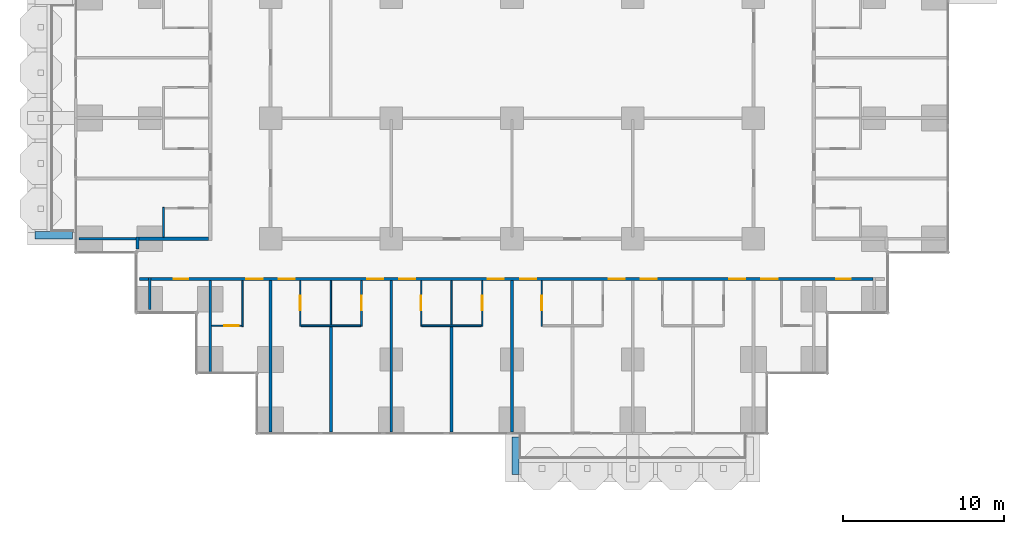
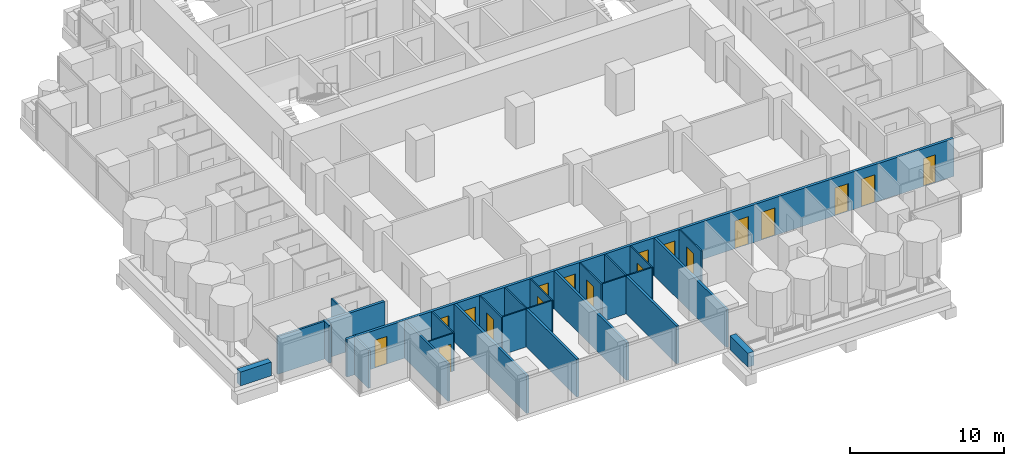
# One storey, part 10 of 19: 26 walls, 18 doors, 18 openings.
"""IFC4 building model written with IfcOpenShell, lengths in metres."""

from ifc_helpers import new_model, si_unit, direction, frame, frame_2d, origin, place, context, subcontext, project, spatial, rectangle, extrude, material, layer, layer_set, type_object, element, fill, save


model = new_model("IFC4")

# Units and contexts
model_context = context("Model", 3, precision=1e-05, world=origin(), true_north=direction((0.0, 1.0)))
body_context = subcontext(model_context, "Body", "Model", "MODEL_VIEW")
ifc_project = project(units=[si_unit("LENGTHUNIT", "METRE"), si_unit("AREAUNIT", "SQUARE_METRE"), si_unit("VOLUMEUNIT", "CUBIC_METRE"), si_unit("PLANEANGLEUNIT", "RADIAN"), si_unit("MASSUNIT", "GRAM", prefix="KILO")], contexts=[model_context])

# Site, building, storey
site_placement = place(None, origin())
site = spatial("IfcSite", under=ifc_project, at=site_placement, CompositionType="ELEMENT")
building_placement = place(site_placement, origin())
building = spatial("IfcBuilding", under=site, at=building_placement, Name="Pilkhan Gate Tower", CompositionType="ELEMENT")
storey_placement = place(building_placement, frame((0.0, 0.0, 39.5)))
storey = spatial("IfcBuildingStorey", under=building, at=storey_placement, Name="L06", CompositionType="ELEMENT", Elevation=39.5)

# Walls
ifc_material_1 = material(Name="Dense blockwork", Category="masonry")
ifc_layer_1 = layer(ifc_material_1, 0.175048828125)
ifc_layer_set_1 = layer_set([ifc_layer_1], Name="Acoustic party wall PW175")
wall_type_1 = type_object("IfcWallType", Name="Acoustic party wall PW175", PredefinedType="PARTITIONING", material=ifc_layer_set_1)
wall_1_placement = place(storey_placement, frame((60.0, 40.485107421875, 0.0), z_axis=(0.0, 0.0, 1.0), x_axis=(0.0, 1.0, 0.0)))
element("IfcWall", 1, at=wall_1_placement, inside=storey, type_object=wall_type_1, Name="Partition L06", PredefinedType="PARTITIONING", context=body_context, shape_type="SweptSolid", body=[
    extrude(rectangle(XDim=9.414794921875, YDim=0.175048828125, at=frame_2d((4.70751953125, 0.0))), origin(), (0.0, 0.0, 1.0), 3.0),
])
wall_2_placement = place(storey_placement, frame((63.75, 40.485107421875, 0.0), z_axis=(0.0, 0.0, 1.0), x_axis=(0.0, 1.0, 0.0)))
element("IfcWall", 2, at=wall_2_placement, inside=storey, type_object=wall_type_1, Name="Partition L06", PredefinedType="PARTITIONING", context=body_context, shape_type="SweptSolid", body=[
    extrude(rectangle(XDim=6.56494140625, YDim=0.175048828125, at=frame_2d((3.282470703125, 0.0))), origin(), (0.0, 0.0, 1.0), 3.0),
])
wall_3_placement = place(storey_placement, frame((67.5, 40.485107421875, 0.0), z_axis=(0.0, 0.0, 1.0), x_axis=(0.0, 1.0, 0.0)))
element("IfcWall", 3, at=wall_3_placement, inside=storey, type_object=wall_type_1, Name="Partition L06", PredefinedType="PARTITIONING", context=body_context, shape_type="SweptSolid", body=[
    extrude(rectangle(XDim=9.414794921875, YDim=0.175048828125, at=frame_2d((4.70751953125, 0.0))), origin(), (0.0, 0.0, 1.0), 3.0),
])
wall_4_placement = place(storey_placement, frame((71.25, 40.485107421875, 0.0), z_axis=(0.0, 0.0, 1.0), x_axis=(0.0, 1.0, 0.0)))
element("IfcWall", 4, at=wall_4_placement, inside=storey, type_object=wall_type_1, Name="Partition L06", PredefinedType="PARTITIONING", context=body_context, shape_type="SweptSolid", body=[
    extrude(rectangle(XDim=6.56494140625, YDim=0.175048828125, at=frame_2d((3.282470703125, 0.0))), origin(), (0.0, 0.0, 1.0), 3.0),
])
wall_5_placement = place(storey_placement, frame((75.0, 40.485107421875, 0.0), z_axis=(0.0, 0.0, 1.0), x_axis=(0.0, 1.0, 0.0)))
element("IfcWall", 5, at=wall_5_placement, inside=storey, type_object=wall_type_1, Name="Partition L06", PredefinedType="PARTITIONING", context=body_context, shape_type="SweptSolid", body=[
    extrude(rectangle(XDim=9.414794921875, YDim=0.175048828125, at=frame_2d((4.70751953125, 0.0))), origin(), (0.0, 0.0, 1.0), 3.0),
])
ifc_material_2 = material(Name="Board-marked Concrete C40/50", Category="concrete")
ifc_layer_2 = layer(ifc_material_2, 0.449951171875)
ifc_layer_set_2 = layer_set([ifc_layer_2], Name="Balcony planter lip BL450")
wall_type_2 = type_object("IfcWallType", Name="Balcony planter lip BL450", PredefinedType="USERDEFINED", material=ifc_layer_set_2)
for number, where, z_axis, x_axis, name in (
    (6, (75.22509765625, 40.179931640625, 0.0), (0.0, 0.0, 1.0), (0.0, -1.0, 0.0), "Balcony planter L06 S"),
    (7, (47.679931640625, 52.72509765625, 0.0), (0.0, 0.0, 1.0), (-1.0, 0.0, 0.0), "Balcony planter L06 W"),
):
    element("IfcWall", number, at=place(storey_placement, frame(where, z_axis=z_axis, x_axis=x_axis)), inside=storey, type_object=wall_type_2, Name=name, ObjectType="BALCONY PLANTER", PredefinedType="USERDEFINED", context=body_context, shape_type="SweptSolid", body=[
        extrude(rectangle(XDim=2.329833984375, YDim=0.449951171875, at=frame_2d((1.1650390625, 0.0))), origin(), (0.0, 0.0, 1.0), 1.10009765625),
    ])
ifc_layer_3 = layer(ifc_material_1, 0.199951171875)
ifc_layer_set_3 = layer_set([ifc_layer_3], Name="Corridor wall FW200")
wall_type_3 = type_object("IfcWallType", Name="Corridor wall FW200", PredefinedType="PARTITIONING", material=ifc_layer_set_3)
wall_6_placement = place(storey_placement, frame((51.85498046875, 50.0, 0.0), z_axis=(0.0, 0.0, 1.0), x_axis=(1.0, 0.0, 0.0)))
element("IfcWall", 8, at=wall_6_placement, inside=storey, type_object=wall_type_3, Name="Partition L06", PredefinedType="PARTITIONING", context=body_context, shape_type="SweptSolid", body=[
    extrude(rectangle(XDim=0.570068359375, YDim=0.199951171875, at=frame_2d((0.28515625, 0.0))), origin(), (0.0, 0.0, 1.0), 3.0),
])

# Wall, openings, doors
wall_7_placement = place(storey_placement, frame((52.574951171875, 50.0, 0.0), z_axis=(0.0, 0.0, 1.0), x_axis=(1.0, 0.0, 0.0)))
wall_7 = element("IfcWall", 9, at=wall_7_placement, inside=storey, type_object=wall_type_3, Name="Partition L06", PredefinedType="PARTITIONING", context=body_context, shape_type="SweptSolid", body=[
    extrude(rectangle(XDim=44.85009765625, YDim=0.199951171875, at=frame_2d((22.425048828125, 0.0))), origin(), (0.0, 0.0, 1.0), 3.0),
])
opening_1_placement = place(wall_7_placement, frame((5.925048828125, 0.0, 0.0)))
opening_1 = element("IfcOpeningElement", 10, at=opening_1_placement, cuts=wall_7, Name="Opening L06-06", PredefinedType="OPENING", context=body_context, shape_type="SweptSolid", body=[
    extrude(rectangle(XDim=1.0, YDim=2.199951171875, at=frame_2d((0.5, 1.10009765625))), frame((0.0, 0.10986328125, 0.0), z_axis=(0.0, -1.0, 0.0), x_axis=(1.0, 0.0, 0.0)), (0.0, 0.0, 1.0), 0.219970703125),
])
opening_2_placement = place(wall_7_placement, frame((7.925048828125, 0.0, 0.0)))
opening_2 = element("IfcOpeningElement", 11, at=opening_2_placement, cuts=wall_7, Name="Opening L06-08", PredefinedType="OPENING", context=body_context, shape_type="SweptSolid", body=[
    extrude(rectangle(XDim=1.0, YDim=2.199951171875, at=frame_2d((0.5, 1.10009765625))), frame((0.0, 0.10986328125, 0.0), z_axis=(0.0, -1.0, 0.0), x_axis=(1.0, 0.0, 0.0)), (0.0, 0.0, 1.0), 0.219970703125),
])
opening_3_placement = place(wall_7_placement, frame((13.425048828125, 0.0, 0.0)))
opening_3 = element("IfcOpeningElement", 12, at=opening_3_placement, cuts=wall_7, Name="Opening L06-10", PredefinedType="OPENING", context=body_context, shape_type="SweptSolid", body=[
    extrude(rectangle(XDim=1.0, YDim=2.199951171875, at=frame_2d((0.5, 1.10009765625))), frame((0.0, 0.10986328125, 0.0), z_axis=(0.0, -1.0, 0.0), x_axis=(1.0, 0.0, 0.0)), (0.0, 0.0, 1.0), 0.219970703125),
])
opening_4_placement = place(wall_7_placement, frame((15.425048828125, 0.0, 0.0)))
opening_4 = element("IfcOpeningElement", 13, at=opening_4_placement, cuts=wall_7, Name="Opening L06-12", PredefinedType="OPENING", context=body_context, shape_type="SweptSolid", body=[
    extrude(rectangle(XDim=1.0, YDim=2.199951171875, at=frame_2d((0.5, 1.10009765625))), frame((0.0, 0.10986328125, 0.0), z_axis=(0.0, -1.0, 0.0), x_axis=(1.0, 0.0, 0.0)), (0.0, 0.0, 1.0), 0.219970703125),
])
opening_5_placement = place(wall_7_placement, frame((20.925048828125, 0.0, 0.0)))
opening_5 = element("IfcOpeningElement", 14, at=opening_5_placement, cuts=wall_7, Name="Opening L06-14", PredefinedType="OPENING", context=body_context, shape_type="SweptSolid", body=[
    extrude(rectangle(XDim=1.0, YDim=2.199951171875, at=frame_2d((0.5, 1.10009765625))), frame((0.0, 0.10986328125, 0.0), z_axis=(0.0, -1.0, 0.0), x_axis=(1.0, 0.0, 0.0)), (0.0, 0.0, 1.0), 0.219970703125),
])
opening_6_placement = place(wall_7_placement, frame((22.925048828125, 0.0, 0.0)))
opening_6 = element("IfcOpeningElement", 15, at=opening_6_placement, cuts=wall_7, Name="Opening L06-16", PredefinedType="OPENING", context=body_context, shape_type="SweptSolid", body=[
    extrude(rectangle(XDim=1.0, YDim=2.199951171875, at=frame_2d((0.5, 1.10009765625))), frame((0.0, 0.10986328125, 0.0), z_axis=(0.0, -1.0, 0.0), x_axis=(1.0, 0.0, 0.0)), (0.0, 0.0, 1.0), 0.219970703125),
])
opening_7_placement = place(wall_7_placement, frame((28.425048828125, 0.0, 0.0)))
opening_7 = element("IfcOpeningElement", 16, at=opening_7_placement, cuts=wall_7, Name="Opening L06-18", PredefinedType="OPENING", context=body_context, shape_type="SweptSolid", body=[
    extrude(rectangle(XDim=1.0, YDim=2.199951171875, at=frame_2d((0.5, 1.10009765625))), frame((0.0, 0.10986328125, 0.0), z_axis=(0.0, -1.0, 0.0), x_axis=(1.0, 0.0, 0.0)), (0.0, 0.0, 1.0), 0.219970703125),
])
opening_8_placement = place(wall_7_placement, frame((30.425048828125, 0.0, 0.0)))
opening_8 = element("IfcOpeningElement", 17, at=opening_8_placement, cuts=wall_7, Name="Opening L06-20", PredefinedType="OPENING", context=body_context, shape_type="SweptSolid", body=[
    extrude(rectangle(XDim=1.0, YDim=2.199951171875, at=frame_2d((0.5, 1.10009765625))), frame((0.0, 0.10986328125, 0.0), z_axis=(0.0, -1.0, 0.0), x_axis=(1.0, 0.0, 0.0)), (0.0, 0.0, 1.0), 0.219970703125),
])
opening_9_placement = place(wall_7_placement, frame((35.925048828125, 0.0, 0.0)))
opening_9 = element("IfcOpeningElement", 18, at=opening_9_placement, cuts=wall_7, Name="Opening L06-22", PredefinedType="OPENING", context=body_context, shape_type="SweptSolid", body=[
    extrude(rectangle(XDim=1.0, YDim=2.199951171875, at=frame_2d((0.5, 1.10009765625))), frame((0.0, 0.10986328125, 0.0), z_axis=(0.0, -1.0, 0.0), x_axis=(1.0, 0.0, 0.0)), (0.0, 0.0, 1.0), 0.219970703125),
])
opening_10_placement = place(wall_7_placement, frame((37.925048828125, 0.0, 0.0)))
opening_10 = element("IfcOpeningElement", 19, at=opening_10_placement, cuts=wall_7, Name="Opening L06-24", PredefinedType="OPENING", context=body_context, shape_type="SweptSolid", body=[
    extrude(rectangle(XDim=1.0, YDim=2.199951171875, at=frame_2d((0.5, 1.10009765625))), frame((0.0, 0.10986328125, 0.0), z_axis=(0.0, -1.0, 0.0), x_axis=(1.0, 0.0, 0.0)), (0.0, 0.0, 1.0), 0.219970703125),
])
opening_11_placement = place(wall_7_placement, frame((1.39990234375, 0.0, 0.0)))
opening_11 = element("IfcOpeningElement", 20, at=opening_11_placement, cuts=wall_7, Name="Opening L06-63", PredefinedType="OPENING", context=body_context, shape_type="SweptSolid", body=[
    extrude(rectangle(XDim=0.89990234375, YDim=2.199951171875, at=frame_2d((0.449951171875, 1.10009765625))), frame((0.0, 0.10986328125, 0.0), z_axis=(0.0, -1.0, 0.0), x_axis=(1.0, 0.0, 0.0)), (0.0, 0.0, 1.0), 0.219970703125),
])
opening_12_placement = place(wall_7_placement, frame((42.574951171875, 0.0, 0.0)))
opening_12 = element("IfcOpeningElement", 21, at=opening_12_placement, cuts=wall_7, Name="Opening L06-64", PredefinedType="OPENING", context=body_context, shape_type="SweptSolid", body=[
    extrude(rectangle(XDim=0.89990234375, YDim=2.199951171875, at=frame_2d((0.449951171875, 1.10009765625))), frame((0.0, 0.10986328125, 0.0), z_axis=(0.0, -1.0, 0.0), x_axis=(1.0, 0.0, 0.0)), (0.0, 0.0, 1.0), 0.219970703125),
])
ifc_material_3 = material(Name="Timber flush door, 30 minute fire resisting", Category="wood")
door_type_1 = type_object("IfcDoorType", Name="Guest room door D01 1000x2200", OperationType="SINGLE_SWING_LEFT", PredefinedType="DOOR", material=ifc_material_3)
door_1_placement = place(opening_1_placement, origin())
door_1 = element("IfcDoor", 22, at=door_1_placement, inside=storey, type_object=door_type_1, Name="Guest room door", OperationType="SINGLE_SWING_RIGHT", OverallHeight=2.199951171875, OverallWidth=1.0, PredefinedType="DOOR", context=body_context, shape_type="SweptSolid", body=[
    extrude(rectangle(XDim=1.0, YDim=2.199951171875, at=frame_2d((0.5, 1.10009765625))), frame((0.0, 0.02490234375, 0.0), z_axis=(0.0, -1.0, 0.0), x_axis=(1.0, 0.0, 0.0)), (0.0, 0.0, 1.0), 0.050048828125),
])
fill(opening_1, door_1)
door_2_placement = place(opening_2_placement, origin())
door_2 = element("IfcDoor", 23, at=door_2_placement, inside=storey, type_object=door_type_1, Name="Guest room door", OperationType="SINGLE_SWING_RIGHT", OverallHeight=2.199951171875, OverallWidth=1.0, PredefinedType="DOOR", context=body_context, shape_type="SweptSolid", body=[
    extrude(rectangle(XDim=1.0, YDim=2.199951171875, at=frame_2d((0.5, 1.10009765625))), frame((0.0, 0.02490234375, 0.0), z_axis=(0.0, -1.0, 0.0), x_axis=(1.0, 0.0, 0.0)), (0.0, 0.0, 1.0), 0.050048828125),
])
fill(opening_2, door_2)
door_3_placement = place(opening_3_placement, origin())
door_3 = element("IfcDoor", 24, at=door_3_placement, inside=storey, type_object=door_type_1, Name="Guest room door", OperationType="SINGLE_SWING_LEFT", OverallHeight=2.199951171875, OverallWidth=1.0, PredefinedType="DOOR", context=body_context, shape_type="SweptSolid", body=[
    extrude(rectangle(XDim=1.0, YDim=2.199951171875, at=frame_2d((0.5, 1.10009765625))), frame((0.0, 0.02490234375, 0.0), z_axis=(0.0, -1.0, 0.0), x_axis=(1.0, 0.0, 0.0)), (0.0, 0.0, 1.0), 0.050048828125),
])
fill(opening_3, door_3)
door_4_placement = place(opening_4_placement, origin())
door_4 = element("IfcDoor", 25, at=door_4_placement, inside=storey, type_object=door_type_1, Name="Guest room door", OperationType="SINGLE_SWING_LEFT", OverallHeight=2.199951171875, OverallWidth=1.0, PredefinedType="DOOR", context=body_context, shape_type="SweptSolid", body=[
    extrude(rectangle(XDim=1.0, YDim=2.199951171875, at=frame_2d((0.5, 1.10009765625))), frame((0.0, 0.02490234375, 0.0), z_axis=(0.0, -1.0, 0.0), x_axis=(1.0, 0.0, 0.0)), (0.0, 0.0, 1.0), 0.050048828125),
])
fill(opening_4, door_4)
door_5_placement = place(opening_5_placement, origin())
door_5 = element("IfcDoor", 26, at=door_5_placement, inside=storey, type_object=door_type_1, Name="Guest room door", OperationType="SINGLE_SWING_LEFT", OverallHeight=2.199951171875, OverallWidth=1.0, PredefinedType="DOOR", context=body_context, shape_type="SweptSolid", body=[
    extrude(rectangle(XDim=1.0, YDim=2.199951171875, at=frame_2d((0.5, 1.10009765625))), frame((0.0, 0.02490234375, 0.0), z_axis=(0.0, -1.0, 0.0), x_axis=(1.0, 0.0, 0.0)), (0.0, 0.0, 1.0), 0.050048828125),
])
fill(opening_5, door_5)
door_6_placement = place(opening_6_placement, origin())
door_6 = element("IfcDoor", 27, at=door_6_placement, inside=storey, type_object=door_type_1, Name="Guest room door", OperationType="SINGLE_SWING_RIGHT", OverallHeight=2.199951171875, OverallWidth=1.0, PredefinedType="DOOR", context=body_context, shape_type="SweptSolid", body=[
    extrude(rectangle(XDim=1.0, YDim=2.199951171875, at=frame_2d((0.5, 1.10009765625))), frame((0.0, 0.02490234375, 0.0), z_axis=(0.0, -1.0, 0.0), x_axis=(1.0, 0.0, 0.0)), (0.0, 0.0, 1.0), 0.050048828125),
])
fill(opening_6, door_6)
door_7_placement = place(opening_7_placement, origin())
door_7 = element("IfcDoor", 28, at=door_7_placement, inside=storey, type_object=door_type_1, Name="Guest room door", OperationType="SINGLE_SWING_RIGHT", OverallHeight=2.199951171875, OverallWidth=1.0, PredefinedType="DOOR", context=body_context, shape_type="SweptSolid", body=[
    extrude(rectangle(XDim=1.0, YDim=2.199951171875, at=frame_2d((0.5, 1.10009765625))), frame((0.0, 0.02490234375, 0.0), z_axis=(0.0, -1.0, 0.0), x_axis=(1.0, 0.0, 0.0)), (0.0, 0.0, 1.0), 0.050048828125),
])
fill(opening_7, door_7)
door_8_placement = place(opening_8_placement, origin())
door_8 = element("IfcDoor", 29, at=door_8_placement, inside=storey, type_object=door_type_1, Name="Guest room door", OperationType="SINGLE_SWING_LEFT", OverallHeight=2.199951171875, OverallWidth=1.0, PredefinedType="DOOR", context=body_context, shape_type="SweptSolid", body=[
    extrude(rectangle(XDim=1.0, YDim=2.199951171875, at=frame_2d((0.5, 1.10009765625))), frame((0.0, 0.02490234375, 0.0), z_axis=(0.0, -1.0, 0.0), x_axis=(1.0, 0.0, 0.0)), (0.0, 0.0, 1.0), 0.050048828125),
])
fill(opening_8, door_8)
door_9_placement = place(opening_9_placement, origin())
door_9 = element("IfcDoor", 30, at=door_9_placement, inside=storey, type_object=door_type_1, Name="Guest room door", OperationType="SINGLE_SWING_LEFT", OverallHeight=2.199951171875, OverallWidth=1.0, PredefinedType="DOOR", context=body_context, shape_type="SweptSolid", body=[
    extrude(rectangle(XDim=1.0, YDim=2.199951171875, at=frame_2d((0.5, 1.10009765625))), frame((0.0, 0.02490234375, 0.0), z_axis=(0.0, -1.0, 0.0), x_axis=(1.0, 0.0, 0.0)), (0.0, 0.0, 1.0), 0.050048828125),
])
fill(opening_9, door_9)
door_10_placement = place(opening_10_placement, origin())
door_10 = element("IfcDoor", 31, at=door_10_placement, inside=storey, type_object=door_type_1, Name="Guest room door", OperationType="SINGLE_SWING_RIGHT", OverallHeight=2.199951171875, OverallWidth=1.0, PredefinedType="DOOR", context=body_context, shape_type="SweptSolid", body=[
    extrude(rectangle(XDim=1.0, YDim=2.199951171875, at=frame_2d((0.5, 1.10009765625))), frame((0.0, 0.02490234375, 0.0), z_axis=(0.0, -1.0, 0.0), x_axis=(1.0, 0.0, 0.0)), (0.0, 0.0, 1.0), 0.050048828125),
])
fill(opening_10, door_10)
ifc_material_4 = material(Name="Timber flush door, 60 minute fire resisting, self-closing", Category="wood")
door_type_2 = type_object("IfcDoorType", Name="Store door D05 900x2200", OperationType="SINGLE_SWING_LEFT", PredefinedType="DOOR", material=ifc_material_4)
door_11_placement = place(opening_11_placement, origin())
door_11 = element("IfcDoor", 32, at=door_11_placement, inside=storey, type_object=door_type_2, Name="Store door", OperationType="SINGLE_SWING_LEFT", OverallHeight=2.199951171875, OverallWidth=0.89990234375, PredefinedType="DOOR", context=body_context, shape_type="SweptSolid", body=[
    extrude(rectangle(XDim=0.89990234375, YDim=2.199951171875, at=frame_2d((0.449951171875, 1.10009765625))), frame((0.0, 0.02490234375, 0.0), z_axis=(0.0, -1.0, 0.0), x_axis=(1.0, 0.0, 0.0)), (0.0, 0.0, 1.0), 0.050048828125),
])
fill(opening_11, door_11)
door_12_placement = place(opening_12_placement, origin())
door_12 = element("IfcDoor", 33, at=door_12_placement, inside=storey, type_object=door_type_2, Name="Store door", OperationType="SINGLE_SWING_LEFT", OverallHeight=2.199951171875, OverallWidth=0.89990234375, PredefinedType="DOOR", context=body_context, shape_type="SweptSolid", body=[
    extrude(rectangle(XDim=0.89990234375, YDim=2.199951171875, at=frame_2d((0.449951171875, 1.10009765625))), frame((0.0, 0.02490234375, 0.0), z_axis=(0.0, -1.0, 0.0), x_axis=(1.0, 0.0, 0.0)), (0.0, 0.0, 1.0), 0.050048828125),
])
fill(opening_12, door_12)

# Walls
wall_8_placement = place(storey_placement, frame((51.8349609375, 52.5, 0.0), z_axis=(0.0, 0.0, 1.0), x_axis=(1.0, 0.0, 0.0)))
element("IfcWall", 34, at=wall_8_placement, inside=storey, type_object=wall_type_3, Name="Partition L06", PredefinedType="PARTITIONING", context=body_context, shape_type="SweptSolid", body=[
    extrude(rectangle(XDim=4.31494140625, YDim=0.199951171875, at=frame_2d((2.157470703125, 0.0))), origin(), (0.0, 0.0, 1.0), 3.0),
])
wall_9_placement = place(storey_placement, frame((51.735107421875, 51.85498046875, 0.0), z_axis=(0.0, 0.0, 1.0), x_axis=(0.0, 1.0, 0.0)))
element("IfcWall", 35, at=wall_9_placement, inside=storey, type_object=wall_type_3, Name="Partition L06", PredefinedType="PARTITIONING", context=body_context, shape_type="SweptSolid", body=[
    extrude(rectangle(XDim=0.7451171875, YDim=0.199951171875, at=frame_2d((0.37255859375, 0.0))), origin(), (0.0, 0.0, 1.0), 3.0),
])
ifc_material_5 = material(Name="Blockwork partition, plastered both sides", Category="masonry")
ifc_layer_4 = layer(ifc_material_5, 0.14990234375)
ifc_layer_set_4 = layer_set([ifc_layer_4], Name="Partition PW150")
wall_type_4 = type_object("IfcWallType", Name="Partition PW150", PredefinedType="PARTITIONING", material=ifc_layer_set_4)
wall_10_placement = place(storey_placement, frame((48.10498046875, 52.5, 0.0), z_axis=(0.0, 0.0, 1.0), x_axis=(1.0, 0.0, 0.0)))
element("IfcWall", 36, at=wall_10_placement, inside=storey, type_object=wall_type_4, Name="Partition L06", PredefinedType="PARTITIONING", context=body_context, shape_type="SweptSolid", body=[
    extrude(rectangle(XDim=3.530029296875, YDim=0.14990234375, at=frame_2d((1.76513671875, 0.0))), origin(), (0.0, 0.0, 1.0), 3.0),
])
wall_11_placement = place(storey_placement, frame((52.5, 48.10498046875, 0.0), z_axis=(0.0, 0.0, 1.0), x_axis=(0.0, 1.0, 0.0)))
element("IfcWall", 37, at=wall_11_placement, inside=storey, type_object=wall_type_4, Name="Partition L06", PredefinedType="PARTITIONING", context=body_context, shape_type="SweptSolid", body=[
    extrude(rectangle(XDim=1.9951171875, YDim=0.14990234375, at=frame_2d((0.99755859375, 0.0))), origin(), (0.0, 0.0, 1.0), 3.0),
])
wall_12_placement = place(storey_placement, frame((56.25, 44.235107421875, 0.0), z_axis=(0.0, 0.0, 1.0), x_axis=(0.0, 1.0, 0.0)))
element("IfcWall", 38, at=wall_12_placement, inside=storey, type_object=wall_type_4, Name="Partition L06", PredefinedType="PARTITIONING", context=body_context, shape_type="SweptSolid", body=[
    extrude(rectangle(XDim=5.664794921875, YDim=0.14990234375, at=frame_2d((2.83251953125, 0.0))), origin(), (0.0, 0.0, 1.0), 3.0),
])

# Wall, opening, door
ifc_material_6 = material(Name="Moisture resistant board, tiled")
ifc_layer_5 = layer(ifc_material_6, 0.10009765625)
ifc_layer_set_5 = layer_set([ifc_layer_5], Name="Wet wall PW100")
wall_type_5 = type_object("IfcWallType", Name="Wet wall PW100", PredefinedType="PARTITIONING", material=ifc_layer_set_5)
wall_13_placement = place(storey_placement, frame((56.324951171875, 47.10009765625, 0.0), z_axis=(0.0, 0.0, 1.0), x_axis=(1.0, 0.0, 0.0)))
wall_13 = element("IfcWall", 39, at=wall_13_placement, inside=storey, type_object=wall_type_5, Name="Partition L06", PredefinedType="PARTITIONING", context=body_context, shape_type="SweptSolid", body=[
    extrude(rectangle(XDim=1.875, YDim=0.10009765625, at=frame_2d((0.9375, 0.0))), origin(), (0.0, 0.0, 1.0), 3.0),
])
opening_13_placement = place(wall_13_placement, frame((0.800048828125, 0.0, 0.0)))
opening_13 = element("IfcOpeningElement", 40, at=opening_13_placement, cuts=wall_13, Name="Opening L06-07", PredefinedType="OPENING", context=body_context, shape_type="SweptSolid", body=[
    extrude(rectangle(XDim=0.89990234375, YDim=2.199951171875, at=frame_2d((0.449951171875, 1.10009765625))), frame((0.0, 0.06005859375, 0.0), z_axis=(0.0, -1.0, 0.0), x_axis=(1.0, 0.0, 0.0)), (0.0, 0.0, 1.0), 0.1201171875),
])
ifc_material_7 = material(Name="Timber flush door", Category="wood")
door_type_3 = type_object("IfcDoorType", Name="Bathroom door D02 900x2200", OperationType="SINGLE_SWING_RIGHT", PredefinedType="DOOR", material=ifc_material_7)
door_13_placement = place(opening_13_placement, origin())
door_13 = element("IfcDoor", 41, at=door_13_placement, inside=storey, type_object=door_type_3, Name="Bathroom door", OperationType="SINGLE_SWING_RIGHT", OverallHeight=2.199951171875, OverallWidth=0.89990234375, PredefinedType="DOOR", context=body_context, shape_type="SweptSolid", body=[
    extrude(rectangle(XDim=0.89990234375, YDim=2.199951171875, at=frame_2d((0.449951171875, 1.10009765625))), frame((0.0, 0.02490234375, 0.0), z_axis=(0.0, -1.0, 0.0), x_axis=(1.0, 0.0, 0.0)), (0.0, 0.0, 1.0), 0.050048828125),
])
fill(opening_13, door_13)

# Walls
for number, where, z_axis, x_axis, name in (
    (42, (61.89990234375, 47.10009765625, 0.0), (0.0, 0.0, 1.0), (1.0, 0.0, 0.0), "Partition L06"),
    (43, (69.39990234375, 47.10009765625, 0.0), (0.0, 0.0, 1.0), (1.0, 0.0, 0.0), "Partition L06"),
):
    element("IfcWall", number, at=place(storey_placement, frame(where, z_axis=z_axis, x_axis=x_axis)), inside=storey, type_object=wall_type_5, Name=name, PredefinedType="PARTITIONING", context=body_context, shape_type="SweptSolid", body=[
        extrude(rectangle(XDim=3.7001953125, YDim=0.10009765625, at=frame_2d((1.85009765625, 0.0))), origin(), (0.0, 0.0, 1.0), 3.0),
    ])
wall_14_placement = place(storey_placement, frame((53.35009765625, 52.60009765625, 0.0), z_axis=(0.0, 0.0, 1.0), x_axis=(0.0, 1.0, 0.0)))
element("IfcWall", 44, at=wall_14_placement, inside=storey, type_object=wall_type_5, Name="Partition L06", PredefinedType="PARTITIONING", context=body_context, shape_type="SweptSolid", body=[
    extrude(rectangle(XDim=1.849853515625, YDim=0.10009765625, at=frame_2d((0.9248046875, 0.0))), origin(), (0.0, 0.0, 1.0), 3.0),
])
wall_15_placement = place(storey_placement, frame((58.25, 47.050048828125, 0.0), z_axis=(0.0, 0.0, 1.0), x_axis=(0.0, 1.0, 0.0)))
element("IfcWall", 45, at=wall_15_placement, inside=storey, type_object=wall_type_5, Name="Partition L06", PredefinedType="PARTITIONING", context=body_context, shape_type="SweptSolid", body=[
    extrude(rectangle(XDim=2.849853515625, YDim=0.10009765625, at=frame_2d((1.4248046875, 0.0))), origin(), (0.0, 0.0, 1.0), 3.0),
])

# Wall, opening, door
wall_16_placement = place(storey_placement, frame((61.85009765625, 47.050048828125, 0.0), z_axis=(0.0, 0.0, 1.0), x_axis=(0.0, 1.0, 0.0)))
wall_16 = element("IfcWall", 46, at=wall_16_placement, inside=storey, type_object=wall_type_5, Name="Partition L06", PredefinedType="PARTITIONING", context=body_context, shape_type="SweptSolid", body=[
    extrude(rectangle(XDim=2.849853515625, YDim=0.10009765625, at=frame_2d((1.4248046875, 0.0))), origin(), (0.0, 0.0, 1.0), 3.0),
])
opening_14_placement = place(wall_16_placement, frame((1.0, 0.0, 0.0)))
opening_14 = element("IfcOpeningElement", 47, at=opening_14_placement, cuts=wall_16, Name="Opening L06-09", PredefinedType="OPENING", context=body_context, shape_type="SweptSolid", body=[
    extrude(rectangle(XDim=0.89990234375, YDim=2.199951171875, at=frame_2d((0.449951171875, 1.10009765625))), frame((0.0, 0.06005859375, 0.0), z_axis=(0.0, -1.0, 0.0), x_axis=(1.0, 0.0, 0.0)), (0.0, 0.0, 1.0), 0.1201171875),
])
door_14_placement = place(opening_14_placement, origin())
door_14 = element("IfcDoor", 48, at=door_14_placement, inside=storey, type_object=door_type_3, Name="Bathroom door", OperationType="SINGLE_SWING_RIGHT", OverallHeight=2.199951171875, OverallWidth=0.89990234375, PredefinedType="DOOR", context=body_context, shape_type="SweptSolid", body=[
    extrude(rectangle(XDim=0.89990234375, YDim=2.199951171875, at=frame_2d((0.449951171875, 1.10009765625))), frame((0.0, 0.02490234375, 0.0), z_axis=(0.0, -1.0, 0.0), x_axis=(1.0, 0.0, 0.0)), (0.0, 0.0, 1.0), 0.050048828125),
])
fill(opening_14, door_14)

# Wall
wall_17_placement = place(storey_placement, frame((63.75, 47.14990234375, 0.0), z_axis=(0.0, 0.0, 1.0), x_axis=(0.0, 1.0, 0.0)))
element("IfcWall", 49, at=wall_17_placement, inside=storey, type_object=wall_type_5, Name="Partition L06", PredefinedType="PARTITIONING", context=body_context, shape_type="SweptSolid", body=[
    extrude(rectangle(XDim=2.75, YDim=0.10009765625, at=frame_2d((1.375, 0.0))), origin(), (0.0, 0.0, 1.0), 3.0),
])

# Wall, opening, door
wall_18_placement = place(storey_placement, frame((65.64990234375, 47.050048828125, 0.0), z_axis=(0.0, 0.0, 1.0), x_axis=(0.0, 1.0, 0.0)))
wall_18 = element("IfcWall", 50, at=wall_18_placement, inside=storey, type_object=wall_type_5, Name="Partition L06", PredefinedType="PARTITIONING", context=body_context, shape_type="SweptSolid", body=[
    extrude(rectangle(XDim=2.849853515625, YDim=0.10009765625, at=frame_2d((1.4248046875, 0.0))), origin(), (0.0, 0.0, 1.0), 3.0),
])
opening_15_placement = place(wall_18_placement, frame((1.0, 0.0, 0.0)))
opening_15 = element("IfcOpeningElement", 51, at=opening_15_placement, cuts=wall_18, Name="Opening L06-11", PredefinedType="OPENING", context=body_context, shape_type="SweptSolid", body=[
    extrude(rectangle(XDim=0.89990234375, YDim=2.199951171875, at=frame_2d((0.449951171875, 1.10009765625))), frame((0.0, 0.06005859375, 0.0), z_axis=(0.0, -1.0, 0.0), x_axis=(1.0, 0.0, 0.0)), (0.0, 0.0, 1.0), 0.1201171875),
])
door_15_placement = place(opening_15_placement, origin())
door_15 = element("IfcDoor", 52, at=door_15_placement, inside=storey, type_object=door_type_3, Name="Bathroom door", OperationType="SINGLE_SWING_RIGHT", OverallHeight=2.199951171875, OverallWidth=0.89990234375, PredefinedType="DOOR", context=body_context, shape_type="SweptSolid", body=[
    extrude(rectangle(XDim=0.89990234375, YDim=2.199951171875, at=frame_2d((0.449951171875, 1.10009765625))), frame((0.0, 0.02490234375, 0.0), z_axis=(0.0, -1.0, 0.0), x_axis=(1.0, 0.0, 0.0)), (0.0, 0.0, 1.0), 0.050048828125),
])
fill(opening_15, door_15)

wall_19_placement = place(storey_placement, frame((69.35009765625, 47.050048828125, 0.0), z_axis=(0.0, 0.0, 1.0), x_axis=(0.0, 1.0, 0.0)))
wall_19 = element("IfcWall", 53, at=wall_19_placement, inside=storey, type_object=wall_type_5, Name="Partition L06", PredefinedType="PARTITIONING", context=body_context, shape_type="SweptSolid", body=[
    extrude(rectangle(XDim=2.849853515625, YDim=0.10009765625, at=frame_2d((1.4248046875, 0.0))), origin(), (0.0, 0.0, 1.0), 3.0),
])
opening_16_placement = place(wall_19_placement, frame((1.0, 0.0, 0.0)))
opening_16 = element("IfcOpeningElement", 54, at=opening_16_placement, cuts=wall_19, Name="Opening L06-13", PredefinedType="OPENING", context=body_context, shape_type="SweptSolid", body=[
    extrude(rectangle(XDim=0.89990234375, YDim=2.199951171875, at=frame_2d((0.449951171875, 1.10009765625))), frame((0.0, 0.06005859375, 0.0), z_axis=(0.0, -1.0, 0.0), x_axis=(1.0, 0.0, 0.0)), (0.0, 0.0, 1.0), 0.1201171875),
])
door_16_placement = place(opening_16_placement, origin())
door_16 = element("IfcDoor", 55, at=door_16_placement, inside=storey, type_object=door_type_3, Name="Bathroom door", OperationType="SINGLE_SWING_RIGHT", OverallHeight=2.199951171875, OverallWidth=0.89990234375, PredefinedType="DOOR", context=body_context, shape_type="SweptSolid", body=[
    extrude(rectangle(XDim=0.89990234375, YDim=2.199951171875, at=frame_2d((0.449951171875, 1.10009765625))), frame((0.0, 0.02490234375, 0.0), z_axis=(0.0, -1.0, 0.0), x_axis=(1.0, 0.0, 0.0)), (0.0, 0.0, 1.0), 0.050048828125),
])
fill(opening_16, door_16)

# Wall
wall_20_placement = place(storey_placement, frame((71.25, 47.14990234375, 0.0), z_axis=(0.0, 0.0, 1.0), x_axis=(0.0, 1.0, 0.0)))
element("IfcWall", 56, at=wall_20_placement, inside=storey, type_object=wall_type_5, Name="Partition L06", PredefinedType="PARTITIONING", context=body_context, shape_type="SweptSolid", body=[
    extrude(rectangle(XDim=2.75, YDim=0.10009765625, at=frame_2d((1.375, 0.0))), origin(), (0.0, 0.0, 1.0), 3.0),
])

# Wall, opening, door
wall_21_placement = place(storey_placement, frame((73.14990234375, 47.050048828125, 0.0), z_axis=(0.0, 0.0, 1.0), x_axis=(0.0, 1.0, 0.0)))
wall_21 = element("IfcWall", 57, at=wall_21_placement, inside=storey, type_object=wall_type_5, Name="Partition L06", PredefinedType="PARTITIONING", context=body_context, shape_type="SweptSolid", body=[
    extrude(rectangle(XDim=2.849853515625, YDim=0.10009765625, at=frame_2d((1.4248046875, 0.0))), origin(), (0.0, 0.0, 1.0), 3.0),
])
opening_17_placement = place(wall_21_placement, frame((1.0, 0.0, 0.0)))
opening_17 = element("IfcOpeningElement", 58, at=opening_17_placement, cuts=wall_21, Name="Opening L06-15", PredefinedType="OPENING", context=body_context, shape_type="SweptSolid", body=[
    extrude(rectangle(XDim=0.89990234375, YDim=2.199951171875, at=frame_2d((0.449951171875, 1.10009765625))), frame((0.0, 0.06005859375, 0.0), z_axis=(0.0, -1.0, 0.0), x_axis=(1.0, 0.0, 0.0)), (0.0, 0.0, 1.0), 0.1201171875),
])
door_17_placement = place(opening_17_placement, origin())
door_17 = element("IfcDoor", 59, at=door_17_placement, inside=storey, type_object=door_type_3, Name="Bathroom door", OperationType="SINGLE_SWING_RIGHT", OverallHeight=2.199951171875, OverallWidth=0.89990234375, PredefinedType="DOOR", context=body_context, shape_type="SweptSolid", body=[
    extrude(rectangle(XDim=0.89990234375, YDim=2.199951171875, at=frame_2d((0.449951171875, 1.10009765625))), frame((0.0, 0.02490234375, 0.0), z_axis=(0.0, -1.0, 0.0), x_axis=(1.0, 0.0, 0.0)), (0.0, 0.0, 1.0), 0.050048828125),
])
fill(opening_17, door_17)

wall_22_placement = place(storey_placement, frame((76.85009765625, 47.050048828125, 0.0), z_axis=(0.0, 0.0, 1.0), x_axis=(0.0, 1.0, 0.0)))
wall_22 = element("IfcWall", 60, at=wall_22_placement, inside=storey, type_object=wall_type_5, Name="Partition L06", PredefinedType="PARTITIONING", context=body_context, shape_type="SweptSolid", body=[
    extrude(rectangle(XDim=2.849853515625, YDim=0.10009765625, at=frame_2d((1.4248046875, 0.0))), origin(), (0.0, 0.0, 1.0), 3.0),
])
opening_18_placement = place(wall_22_placement, frame((1.0, 0.0, 0.0)))
opening_18 = element("IfcOpeningElement", 61, at=opening_18_placement, cuts=wall_22, Name="Opening L06-17", PredefinedType="OPENING", context=body_context, shape_type="SweptSolid", body=[
    extrude(rectangle(XDim=0.89990234375, YDim=2.199951171875, at=frame_2d((0.449951171875, 1.10009765625))), frame((0.0, 0.06005859375, 0.0), z_axis=(0.0, -1.0, 0.0), x_axis=(1.0, 0.0, 0.0)), (0.0, 0.0, 1.0), 0.1201171875),
])
door_18_placement = place(opening_18_placement, origin())
door_18 = element("IfcDoor", 62, at=door_18_placement, inside=storey, type_object=door_type_3, Name="Bathroom door", OperationType="SINGLE_SWING_RIGHT", OverallHeight=2.199951171875, OverallWidth=0.89990234375, PredefinedType="DOOR", context=body_context, shape_type="SweptSolid", body=[
    extrude(rectangle(XDim=0.89990234375, YDim=2.199951171875, at=frame_2d((0.449951171875, 1.10009765625))), frame((0.0, 0.02490234375, 0.0), z_axis=(0.0, -1.0, 0.0), x_axis=(1.0, 0.0, 0.0)), (0.0, 0.0, 1.0), 0.050048828125),
])
fill(opening_18, door_18)

save(model, "model.ifc")
